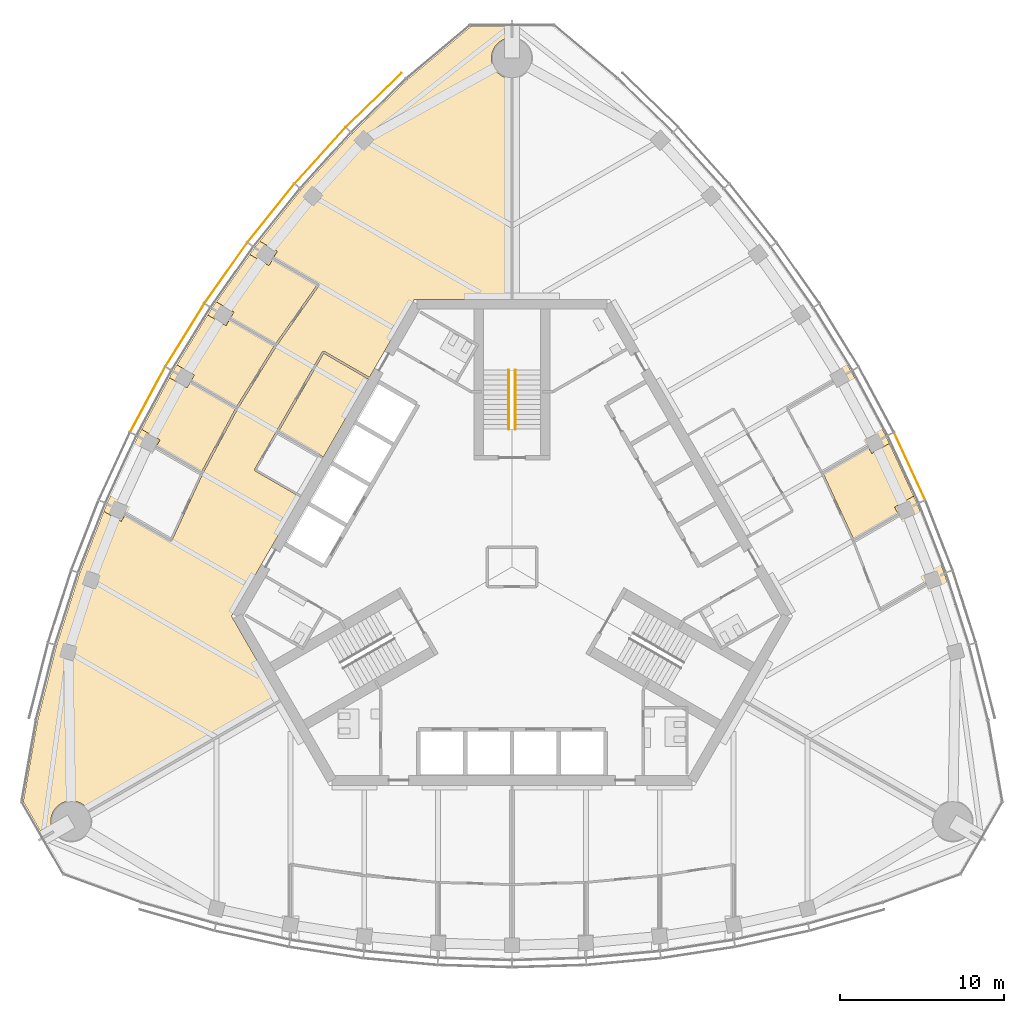
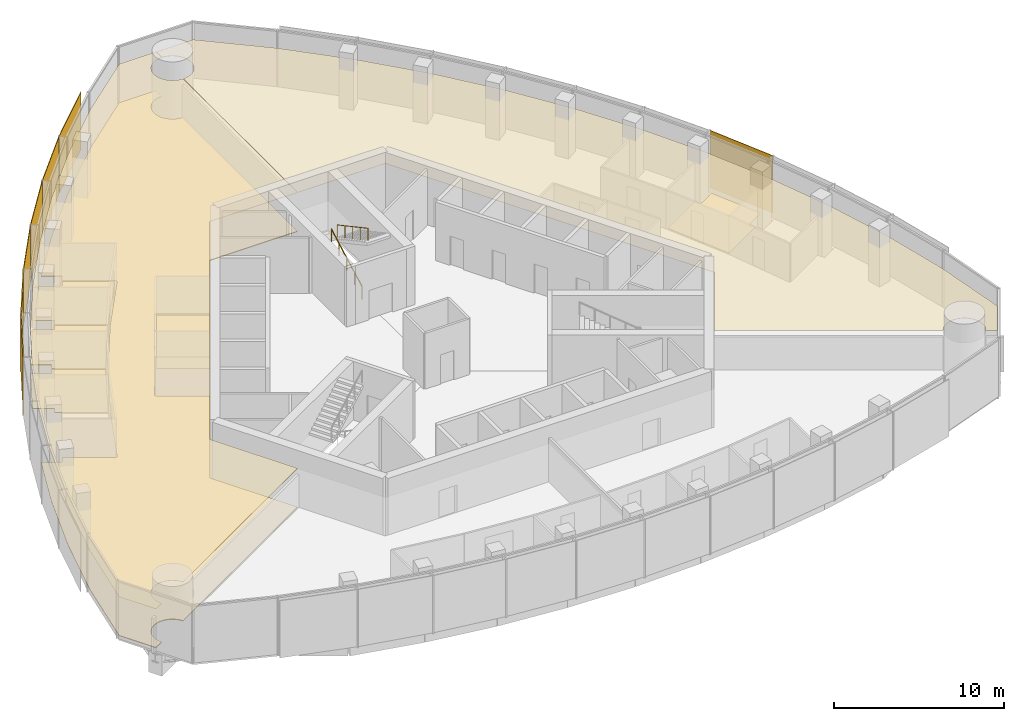
# One storey, part 13 of 16: 8 coverings, 7 shading devices, 2 railings.
"""IFC4 building model written with IfcOpenShell, lengths in metres."""

from ifc_helpers import new_model, si_unit, direction, frame, origin, origin_2d, place, context, subcontext, project, spatial, polyline, rectangle, circle, outline, extrude, material, layer, layer_set, type_object, element, save


model = new_model("IFC4")

# Units and contexts
model_context = context("Model", 3, precision=1e-05, world=origin(), true_north=direction((0.0, 1.0)))
body_context = subcontext(model_context, "Body", "Model", "MODEL_VIEW")
ifc_project = project(units=[si_unit("LENGTHUNIT", "METRE"), si_unit("AREAUNIT", "SQUARE_METRE"), si_unit("VOLUMEUNIT", "CUBIC_METRE"), si_unit("PLANEANGLEUNIT", "RADIAN"), si_unit("MASSUNIT", "GRAM", prefix="KILO")], contexts=[model_context])

# Site, building, storey
site_placement = place(None, origin())
site = spatial("IfcSite", under=ifc_project, at=site_placement, CompositionType="ELEMENT")
building_placement = place(site_placement, origin())
building = spatial("IfcBuilding", under=site, at=building_placement, Name="Trefoil Bronze Tower", CompositionType="ELEMENT")
storey_placement = place(building_placement, frame((0.0, 0.0, 305.699951171875)))
storey = spatial("IfcBuildingStorey", under=building, at=storey_placement, Name="L70", CompositionType="ELEMENT", Elevation=305.699951171875)

# Shading devices
ifc_material_1 = material(Name="Perforated bronze sheet", Category="bronze")
ifc_layer_1 = layer(ifc_material_1, 0.0400390625)
ifc_layer_set_1 = layer_set([ifc_layer_1], Name="Bronze solar screen panel")
shading_device_type = type_object("IfcShadingDeviceType", Name="Bronze solar screen panel", PredefinedType="SHUTTER", material=ifc_layer_set_1)
shading_device_1_placement = place(storey_placement, frame((24.2255859375, 6.135986328125, 0.050048828125), z_axis=(0.0, 0.0, 1.0), x_axis=(-0.419309148468, 0.907843509649, 0.0)))
element("IfcShadingDevice", 1, at=shading_device_1_placement, inside=storey, type_object=shading_device_type, Name="Solar screen CW-A L70 F2 bay 4", PredefinedType="SHUTTER", context=body_context, shape_type="SweptSolid", body=[
    extrude(rectangle(XDim=4.48876953125, YDim=0.0400390625, at=origin_2d()), origin(), (0.0, 0.0, 1.0), 4.10009765625),
])
shading_device_2_placement = place(storey_placement, frame((-8.42236328125, 28.443359375, 0.050048828125), z_axis=(0.0, 0.0, 1.0), x_axis=(-0.71721818561, -0.696848673839, 0.0)))
element("IfcShadingDevice", 2, at=shading_device_2_placement, inside=storey, type_object=shading_device_type, Name="Solar screen CW-A L70 F3 bay 1", PredefinedType="SHUTTER", context=body_context, shape_type="SweptSolid", body=[
    extrude(rectangle(XDim=4.697509765625, YDim=0.0400390625, at=origin_2d()), origin(), (0.0, 0.0, 1.0), 4.10009765625),
])
shading_device_3_placement = place(storey_placement, frame((-11.688720703125, 25.067138671875, 0.050048828125), z_axis=(0.0, 0.0, 1.0), x_axis=(-0.672115274615, -0.74044652584, 0.0)))
element("IfcShadingDevice", 3, at=shading_device_3_placement, inside=storey, type_object=shading_device_type, Name="Solar screen CW-A L70 F3 bay 2", PredefinedType="SHUTTER", context=body_context, shape_type="SweptSolid", body=[
    extrude(rectangle(XDim=4.574462890625, YDim=0.0400390625, at=origin_2d()), origin(), (0.0, 0.0, 1.0), 4.10009765625),
])
shading_device_4_placement = place(storey_placement, frame((-14.680908203125, 21.560791015625, 0.050048828125), z_axis=(0.0, 0.0, 1.0), x_axis=(-0.625286758829, -0.780395072533, 0.0)))
element("IfcShadingDevice", 4, at=shading_device_4_placement, inside=storey, type_object=shading_device_type, Name="Solar screen CW-A L70 F3 bay 3", PredefinedType="SHUTTER", context=body_context, shape_type="SweptSolid", body=[
    extrude(rectangle(XDim=4.5224609375, YDim=0.0400390625, at=origin_2d()), origin(), (0.0, 0.0, 1.0), 4.10009765625),
])
shading_device_5_placement = place(storey_placement, frame((-17.4267578125, 17.912109375, 0.050048828125), z_axis=(0.0, 0.0, 1.0), x_axis=(-0.576560967783, -0.817054129437, 0.0)))
element("IfcShadingDevice", 5, at=shading_device_5_placement, inside=storey, type_object=shading_device_type, Name="Solar screen CW-A L70 F3 bay 4", PredefinedType="SHUTTER", context=body_context, shape_type="SweptSolid", body=[
    extrude(rectangle(XDim=4.48876953125, YDim=0.0400390625, at=origin_2d()), origin(), (0.0, 0.0, 1.0), 4.10009765625),
])
for number, where, z_axis, x_axis, name in (
    (6, (-19.931396484375, 14.124267578125, 0.050048828125), (0.0, 0.0, 1.0), (-0.525979532701, -0.850497225851, 0.0), "Solar screen CW-A L70 F3 bay 5"),
    (7, (-22.19775390625, 10.198974609375, 0.050048828125), (0.0, 0.0, 1.0), (-0.473562437085, -0.880760250115, 0.0), "Solar screen CW-A L70 F3 bay 6"),
):
    element("IfcShadingDevice", number, at=place(storey_placement, frame(where, z_axis=z_axis, x_axis=x_axis)), inside=storey, type_object=shading_device_type, Name=name, PredefinedType="SHUTTER", context=body_context, shape_type="SweptSolid", body=[
        extrude(rectangle(XDim=4.47216796875, YDim=0.0400390625, at=origin_2d()), origin(), (0.0, 0.0, 1.0), 4.10009765625),
    ])

# Railings
ifc_material_2 = material(Name="Steel handrail", Category="steel")
railing_type = type_object("IfcRailingType", Name="Handrail 900", PredefinedType="HANDRAIL", material=ifc_material_2)
railing_1_placement = place(storey_placement, frame((-0.199951171875, 8.389892578125, 0.16162109375)))
element("IfcRailing", 8, at=railing_1_placement, inside=storey, type_object=railing_type, Name="Handrail ST2 flight 1 L70", PredefinedType="HANDRAIL", context=body_context, shape_type="SweptSolid", body=[
    extrude(circle(Radius=0.02392578125, at=origin_2d()), frame((0.0, 0.0, 0.8759765625), z_axis=(0.0, 0.880474934443, 0.474092701714), x_axis=(-1.0, 0.0, 0.0)), (0.0, 0.0, 1.0), 4.0888671875),
    extrude(circle(Radius=0.02099609375, at=origin_2d()), origin(), (0.0, 0.0, 1.0), 0.851806640625),
    extrude(circle(Radius=0.02099609375, at=origin_2d()), frame((0.0, 0.89990234375, 0.484619140625)), (0.0, 0.0, 1.0), 0.851806640625),
    extrude(circle(Radius=0.02099609375, at=origin_2d()), frame((0.0, 1.800048828125, 0.96923828125)), (0.0, 0.0, 1.0), 0.851806640625),
    extrude(circle(Radius=0.02099609375, at=origin_2d()), frame((0.0, 2.7001953125, 1.453857421875)), (0.0, 0.0, 1.0), 0.851806640625),
    extrude(circle(Radius=0.02099609375, at=origin_2d()), frame((0.0, 3.60009765625, 1.9384765625)), (0.0, 0.0, 1.0), 0.851806640625),
])
railing_2_placement = place(storey_placement, frame((0.199951171875, 11.989990234375, 2.261474609375)))
element("IfcRailing", 9, at=railing_2_placement, inside=storey, type_object=railing_type, Name="Handrail ST2 flight 2 L70", PredefinedType="HANDRAIL", context=body_context, shape_type="SweptSolid", body=[
    extrude(circle(Radius=0.02392578125, at=origin_2d()), frame((0.0, 0.0, 0.8759765625), z_axis=(0.0, -0.880474934443, 0.474092701714), x_axis=(1.0, 0.0, 0.0)), (0.0, 0.0, 1.0), 4.0888671875),
    extrude(circle(Radius=0.02099609375, at=origin_2d()), origin(), (0.0, 0.0, 1.0), 0.851806640625),
    extrude(circle(Radius=0.02099609375, at=origin_2d()), frame((0.0, -0.89990234375, 0.484619140625)), (0.0, 0.0, 1.0), 0.851806640625),
    extrude(circle(Radius=0.02099609375, at=origin_2d()), frame((0.0, -1.800048828125, 0.96923828125)), (0.0, 0.0, 1.0), 0.851806640625),
    extrude(circle(Radius=0.02099609375, at=origin_2d()), frame((0.0, -2.7001953125, 1.453857421875)), (0.0, 0.0, 1.0), 0.851806640625),
    extrude(circle(Radius=0.02099609375, at=origin_2d()), frame((0.0, -3.60009765625, 1.9384765625)), (0.0, 0.0, 1.0), 0.851806640625),
])

# Coverings
ifc_material_3 = material(Name="Acoustic ceiling panels", Category="mineral fibre")
ifc_layer_2 = layer(ifc_material_3, 0.02001953125)
ifc_layer_set_2 = layer_set([ifc_layer_2], Name="Office ceiling 20")
covering_type_1 = type_object("IfcCoveringType", Name="Office ceiling 20", PredefinedType="CEILING", material=ifc_layer_set_2)
covering_1_placement = place(storey_placement, frame((0.0, 0.0, 2.900146484375)))
element("IfcCovering", 10, at=covering_1_placement, inside=storey, type_object=covering_type_1, Name="Ceiling L70 Open-plan office F2", PredefinedType="CEILING", context=body_context, shape_type="SweptSolid", body=[
    extrude(outline(polyline([(9.741455078125, 26.408935546875), (12.836181640625, 22.99951171875), (15.682861328125, 19.44677734375), (18.2880859375, 15.7548828125), (20.656005859375, 11.92578125), (22.7880859375, 7.960693359375), (24.682861328125, 3.8583984375), (26.336181640625, -0.38330078125), (27.741455078125, -4.76806640625), (28.899169921875, -9.3515625), (29.770263671875, -14.291748046875), (28.522216796875, -16.453125), (27.93505859375, -16.1142578125), (27.976806640625, -16.034423828125), (28.001708984375, -15.978515625), (28.023681640625, -15.921142578125), (28.04296875, -15.86279296875), (28.059326171875, -15.8037109375), (28.07275390625, -15.743896484375), (28.083251953125, -15.683349609375), (28.0908203125, -15.62255859375), (28.09521484375, -15.561279296875), (28.0966796875, -15.5), (28.09521484375, -15.438720703125), (28.0908203125, -15.37744140625), (28.083251953125, -15.316650390625), (28.07275390625, -15.256103515625), (28.059326171875, -15.1962890625), (28.04296875, -15.13720703125), (28.023681640625, -15.078857421875), (28.001708984375, -15.021484375), (27.976806640625, -14.965576171875), (27.94921875, -14.910888671875), (27.9189453125, -14.857421875), (27.885986328125, -14.805419921875), (27.850830078125, -14.75537109375), (27.81298828125, -14.70703125), (27.77294921875, -14.66064453125), (27.730712890625, -14.6162109375), (27.686279296875, -14.57373046875), (27.639892578125, -14.53369140625), (27.59130859375, -14.49609375), (27.541259765625, -14.460693359375), (27.489501953125, -14.427734375), (27.43603515625, -14.397705078125), (27.381103515625, -14.3701171875), (27.3251953125, -14.34521484375), (27.267822265625, -14.322998046875), (27.209716796875, -14.3037109375), (27.150390625, -14.28759765625), (27.0908203125, -14.27392578125), (27.0302734375, -14.263427734375), (26.96923828125, -14.256103515625), (26.908203125, -14.25146484375), (26.8466796875, -14.25), (26.785400390625, -14.25146484375), (26.724365234375, -14.256103515625), (26.663330078125, -14.263427734375), (26.602783203125, -14.27392578125), (26.543212890625, -14.28759765625), (26.48388671875, -14.3037109375), (26.42578125, -14.322998046875), (26.368408203125, -14.34521484375), (26.312255859375, -14.3701171875), (26.257568359375, -14.397705078125), (26.2041015625, -14.427734375), (26.15234375, -14.460693359375), (26.102294921875, -14.49609375), (26.0537109375, -14.53369140625), (26.00732421875, -14.57373046875), (25.962890625, -14.6162109375), (25.920654296875, -14.66064453125), (25.880615234375, -14.70703125), (25.8427734375, -14.75537109375), (25.8076171875, -14.805419921875), (25.77001953125, -14.865478515625), (14.119384765625, -8.144775390625), (17.089599609375, -3.0), (5.94677734375, 16.300048828125), (0.006103515625, 16.300048828125), (0.01123046875, 29.750244140625), (0.061279296875, 29.75146484375), (0.12255859375, 29.756103515625), (0.183349609375, 29.763427734375), (0.243896484375, 29.77392578125), (0.3037109375, 29.78759765625), (0.36279296875, 29.8037109375), (0.421142578125, 29.822998046875), (0.478515625, 29.84521484375), (0.534423828125, 29.8701171875), (0.589111328125, 29.897705078125), (0.642578125, 29.927734375), (0.694580078125, 29.960693359375), (0.74462890625, 29.99609375), (0.79296875, 30.03369140625), (0.83935546875, 30.07373046875), (0.8837890625, 30.1162109375), (0.92626953125, 30.16064453125), (0.96630859375, 30.20703125), (1.00390625, 30.25537109375), (1.039306640625, 30.305419921875), (1.072265625, 30.357421875), (1.102294921875, 30.410888671875), (1.1298828125, 30.465576171875), (1.15478515625, 30.521484375), (1.177001953125, 30.578857421875), (1.1962890625, 30.63720703125), (1.21240234375, 30.6962890625), (1.22607421875, 30.756103515625), (1.236572265625, 30.816650390625), (1.243896484375, 30.87744140625), (1.24853515625, 30.938720703125), (1.25, 31.0), (1.24853515625, 31.061279296875), (1.243896484375, 31.12255859375), (1.236572265625, 31.183349609375), (1.22607421875, 31.243896484375), (1.21240234375, 31.3037109375), (1.1962890625, 31.36279296875), (1.177001953125, 31.421142578125), (1.15478515625, 31.478515625), (1.1298828125, 31.534423828125), (1.102294921875, 31.589111328125), (1.072265625, 31.642578125), (1.039306640625, 31.694580078125), (1.00390625, 31.74462890625), (0.96630859375, 31.79296875), (0.92626953125, 31.83935546875), (0.8837890625, 31.8837890625), (0.83935546875, 31.92626953125), (0.79296875, 31.96630859375), (0.74462890625, 32.00390625), (0.694580078125, 32.039306640625), (0.642578125, 32.072265625), (0.589111328125, 32.102294921875), (0.534423828125, 32.1298828125), (0.478515625, 32.15478515625), (0.421142578125, 32.177001953125), (0.36279296875, 32.1962890625), (0.3037109375, 32.21240234375), (0.243896484375, 32.22607421875), (0.183349609375, 32.236572265625), (0.12255859375, 32.243896484375), (0.061279296875, 32.24853515625), (0.01220703125, 32.249755859375), (0.01220703125, 32.927490234375), (2.508056640625, 32.927490234375), (6.350830078125, 29.703125), (9.741455078125, 26.408935546875)])), origin(), (0.0, 0.0, 1.0), 0.02001953125),
])
covering_2_placement = place(storey_placement, frame((0.0, 0.0, 2.900146484375)))
element("IfcCovering", 11, at=covering_2_placement, inside=storey, type_object=covering_type_1, Name="Ceiling L70 Open-plan office F3", PredefinedType="CEILING", context=body_context, shape_type="SweptSolid", body=[
    extrude(outline(polyline([(-27.741455078125, -4.76806640625), (-26.336181640625, -0.38330078125), (-24.682861328125, 3.8583984375), (-22.7880859375, 7.960693359375), (-20.656005859375, 11.92578125), (-18.2880859375, 15.7548828125), (-15.682861328125, 19.44677734375), (-12.836181640625, 22.99951171875), (-9.741455078125, 26.408935546875), (-6.350830078125, 29.703125), (-2.508056640625, 32.927490234375), (-0.01220703125, 32.927490234375), (-0.01220703125, 32.249755859375), (-0.061279296875, 32.24853515625), (-0.12255859375, 32.243896484375), (-0.183349609375, 32.236572265625), (-0.243896484375, 32.22607421875), (-0.3037109375, 32.21240234375), (-0.36279296875, 32.1962890625), (-0.421142578125, 32.177001953125), (-0.478515625, 32.15478515625), (-0.534423828125, 32.1298828125), (-0.589111328125, 32.102294921875), (-0.642578125, 32.072265625), (-0.694580078125, 32.039306640625), (-0.74462890625, 32.00390625), (-0.79296875, 31.96630859375), (-0.83935546875, 31.92626953125), (-0.8837890625, 31.8837890625), (-0.92626953125, 31.83935546875), (-0.96630859375, 31.79296875), (-1.00390625, 31.74462890625), (-1.039306640625, 31.694580078125), (-1.072265625, 31.642578125), (-1.102294921875, 31.589111328125), (-1.1298828125, 31.534423828125), (-1.15478515625, 31.478515625), (-1.177001953125, 31.421142578125), (-1.1962890625, 31.36279296875), (-1.21240234375, 31.3037109375), (-1.22607421875, 31.243896484375), (-1.236572265625, 31.183349609375), (-1.243896484375, 31.12255859375), (-1.24853515625, 31.061279296875), (-1.25, 31.0), (-1.24853515625, 30.938720703125), (-1.243896484375, 30.87744140625), (-1.236572265625, 30.816650390625), (-1.22607421875, 30.756103515625), (-1.21240234375, 30.6962890625), (-1.1962890625, 30.63720703125), (-1.177001953125, 30.578857421875), (-1.15478515625, 30.521484375), (-1.1298828125, 30.465576171875), (-1.102294921875, 30.410888671875), (-1.072265625, 30.357421875), (-1.039306640625, 30.305419921875), (-1.00390625, 30.25537109375), (-0.96630859375, 30.20703125), (-0.92626953125, 30.16064453125), (-0.8837890625, 30.1162109375), (-0.83935546875, 30.07373046875), (-0.79296875, 30.03369140625), (-0.74462890625, 29.99609375), (-0.694580078125, 29.960693359375), (-0.642578125, 29.927734375), (-0.589111328125, 29.897705078125), (-0.534423828125, 29.8701171875), (-0.478515625, 29.84521484375), (-0.421142578125, 29.822998046875), (-0.36279296875, 29.8037109375), (-0.3037109375, 29.78759765625), (-0.243896484375, 29.77392578125), (-0.183349609375, 29.763427734375), (-0.12255859375, 29.756103515625), (-0.061279296875, 29.75146484375), (-0.01123046875, 29.750244140625), (-0.006103515625, 16.300048828125), (-5.94677734375, 16.300048828125), (-17.089599609375, -3.0), (-14.119384765625, -8.144775390625), (-25.77001953125, -14.865478515625), (-25.8076171875, -14.805419921875), (-25.8427734375, -14.75537109375), (-25.880615234375, -14.70703125), (-25.920654296875, -14.66064453125), (-25.962890625, -14.6162109375), (-26.00732421875, -14.57373046875), (-26.0537109375, -14.53369140625), (-26.102294921875, -14.49609375), (-26.15234375, -14.460693359375), (-26.2041015625, -14.427734375), (-26.257568359375, -14.397705078125), (-26.312255859375, -14.3701171875), (-26.368408203125, -14.34521484375), (-26.42578125, -14.322998046875), (-26.48388671875, -14.3037109375), (-26.543212890625, -14.28759765625), (-26.602783203125, -14.27392578125), (-26.663330078125, -14.263427734375), (-26.724365234375, -14.256103515625), (-26.785400390625, -14.25146484375), (-26.8466796875, -14.25), (-26.908203125, -14.25146484375), (-26.96923828125, -14.256103515625), (-27.0302734375, -14.263427734375), (-27.0908203125, -14.27392578125), (-27.150390625, -14.28759765625), (-27.209716796875, -14.3037109375), (-27.267822265625, -14.322998046875), (-27.3251953125, -14.34521484375), (-27.381103515625, -14.3701171875), (-27.43603515625, -14.397705078125), (-27.489501953125, -14.427734375), (-27.541259765625, -14.460693359375), (-27.59130859375, -14.49609375), (-27.639892578125, -14.53369140625), (-27.686279296875, -14.57373046875), (-27.730712890625, -14.6162109375), (-27.77294921875, -14.66064453125), (-27.81298828125, -14.70703125), (-27.850830078125, -14.75537109375), (-27.885986328125, -14.805419921875), (-27.9189453125, -14.857421875), (-27.94921875, -14.910888671875), (-27.976806640625, -14.965576171875), (-28.001708984375, -15.021484375), (-28.023681640625, -15.078857421875), (-28.04296875, -15.13720703125), (-28.059326171875, -15.1962890625), (-28.07275390625, -15.256103515625), (-28.083251953125, -15.316650390625), (-28.0908203125, -15.37744140625), (-28.09521484375, -15.438720703125), (-28.0966796875, -15.5), (-28.09521484375, -15.561279296875), (-28.0908203125, -15.62255859375), (-28.083251953125, -15.683349609375), (-28.07275390625, -15.743896484375), (-28.059326171875, -15.8037109375), (-28.04296875, -15.86279296875), (-28.023681640625, -15.921142578125), (-28.001708984375, -15.978515625), (-27.976806640625, -16.034423828125), (-27.93505859375, -16.1142578125), (-28.522216796875, -16.453125), (-29.770263671875, -14.291748046875), (-28.899169921875, -9.3515625), (-27.741455078125, -4.76806640625)])), origin(), (0.0, 0.0, 1.0), 0.02001953125),
])
ifc_material_4 = material(Name="Raised access floor panels", Category="steel")
ifc_layer_3 = layer(ifc_material_4, 0.050048828125)
ifc_layer_set_3 = layer_set([ifc_layer_3], Name="Raised access floor 150")
covering_type_2 = type_object("IfcCoveringType", Name="Raised access floor 150", PredefinedType="FLOORING", material=ifc_layer_set_3)
covering_3_placement = place(storey_placement, frame((0.0, 0.0, 0.10009765625)))
element("IfcCovering", 12, at=covering_3_placement, inside=storey, type_object=covering_type_2, Name="Raised floor L70 Office F2", PredefinedType="FLOORING", context=body_context, shape_type="SweptSolid", body=[
    extrude(outline(polyline([(23.519775390625, 3.256103515625), (20.8125, 1.693115234375), (18.968505859375, 5.68603515625), (21.70751953125, 7.267333984375), (21.677490234375, 7.3193359375), (21.680419921875, 7.321044921875), (21.919189453125, 6.90771484375), (22.989013671875, 7.525390625), (24.47119140625, 4.316162109375), (23.298583984375, 3.63916015625), (23.519775390625, 3.256103515625)])), origin(), (0.0, 0.0, 1.0), 0.050048828125),
])
covering_4_placement = place(storey_placement, frame((0.0, 0.0, 0.10009765625)))
element("IfcCovering", 13, at=covering_4_placement, inside=storey, type_object=covering_type_2, Name="Raised floor L70 Meeting room F3", PredefinedType="FLOORING", context=body_context, shape_type="SweptSolid", body=[
    extrude(outline(polyline([(-11.488037109375, 6.701904296875), (-14.20751953125, 8.27197265625), (-11.467529296875, 13.017822265625), (-8.748046875, 11.44775390625), (-11.488037109375, 6.701904296875)])), origin(), (0.0, 0.0, 1.0), 0.050048828125),
])
covering_5_placement = place(storey_placement, frame((0.0, 0.0, 0.10009765625)))
element("IfcCovering", 14, at=covering_5_placement, inside=storey, type_object=covering_type_2, Name="Raised floor L70 Office F3", PredefinedType="FLOORING", context=body_context, shape_type="SweptSolid", body=[
    extrude(outline(polyline([(-15.9736328125, 19.03466796875), (-14.801025390625, 18.357666015625), (-14.579833984375, 18.74072265625), (-11.87255859375, 17.177734375), (-14.408447265625, 13.583984375), (-17.147705078125, 15.16552734375), (-17.177490234375, 15.113525390625), (-17.180419921875, 15.115234375), (-16.941650390625, 15.52880859375), (-18.01171875, 16.146484375), (-15.9736328125, 19.03466796875)])), origin(), (0.0, 0.0, 1.0), 0.050048828125),
])
covering_6_placement = place(storey_placement, frame((0.0, 0.0, 0.10009765625)))
element("IfcCovering", 15, at=covering_6_placement, inside=storey, type_object=covering_type_2, Name="Raised floor L70 Office F3", PredefinedType="FLOORING", context=body_context, shape_type="SweptSolid", body=[
    extrude(outline(polyline([(-17.177490234375, 15.113525390625), (-17.20751953125, 15.061767578125), (-14.474609375, 13.48388671875), (-16.779296875, 9.7568359375), (-19.517578125, 11.337890625), (-19.547607421875, 11.285888671875), (-19.57275390625, 11.30029296875), (-19.34716796875, 11.69091796875), (-20.418701171875, 12.3095703125), (-18.539306640625, 15.348388671875), (-17.419189453125, 14.701904296875), (-17.180419921875, 15.115234375), (-17.177490234375, 15.113525390625)])), origin(), (0.0, 0.0, 1.0), 0.050048828125),
])
covering_7_placement = place(storey_placement, frame((0.0, 0.0, 0.10009765625)))
element("IfcCovering", 16, at=covering_7_placement, inside=storey, type_object=covering_type_2, Name="Raised floor L70 Office F3", PredefinedType="FLOORING", context=body_context, shape_type="SweptSolid", body=[
    extrude(outline(polyline([(-19.547607421875, 11.285888671875), (-19.57763671875, 11.23388671875), (-16.83935546875, 9.65283203125), (-18.91455078125, 5.79345703125), (-21.647705078125, 7.371337890625), (-21.677490234375, 7.3193359375), (-21.680419921875, 7.321044921875), (-21.441650390625, 7.734619140625), (-22.56201171875, 8.38134765625), (-20.869873046875, 11.5283203125), (-19.798095703125, 10.90966796875), (-19.57275390625, 11.30029296875), (-19.547607421875, 11.285888671875)])), origin(), (0.0, 0.0, 1.0), 0.050048828125),
])
covering_8_placement = place(storey_placement, frame((0.0, 0.0, 0.10009765625)))
element("IfcCovering", 17, at=covering_8_placement, inside=storey, type_object=covering_type_2, Name="Raised floor L70 Open-plan office F3", PredefinedType="FLOORING", context=body_context, shape_type="SweptSolid", body=[
    extrude(outline(polyline([(-26.336181640625, -0.38330078125), (-24.867431640625, 3.385009765625), (-23.801025390625, 2.769287109375), (-23.579833984375, 3.152099609375), (-20.815673828125, 1.556396484375), (-20.78564453125, 1.6083984375), (-20.731201171875, 1.583251953125), (-18.83740234375, 5.683837890625), (-16.70703125, 9.645751953125), (-14.3408203125, 13.4716796875), (-11.73681640625, 17.162109375), (-11.78564453125, 17.19677734375), (-11.755615234375, 17.248779296875), (-14.519775390625, 18.844482421875), (-14.298583984375, 19.227783203125), (-15.364990234375, 19.84326171875), (-12.836181640625, 22.99951171875), (-9.741455078125, 26.408935546875), (-6.350830078125, 29.703125), (-2.508056640625, 32.927490234375), (-0.01220703125, 32.927490234375), (-0.01220703125, 32.249755859375), (-0.061279296875, 32.24853515625), (-0.12255859375, 32.243896484375), (-0.183349609375, 32.236572265625), (-0.243896484375, 32.22607421875), (-0.3037109375, 32.21240234375), (-0.36279296875, 32.1962890625), (-0.421142578125, 32.177001953125), (-0.478515625, 32.15478515625), (-0.534423828125, 32.1298828125), (-0.589111328125, 32.102294921875), (-0.642578125, 32.072265625), (-0.694580078125, 32.039306640625), (-0.74462890625, 32.00390625), (-0.79296875, 31.96630859375), (-0.83935546875, 31.92626953125), (-0.8837890625, 31.8837890625), (-0.92626953125, 31.83935546875), (-0.96630859375, 31.79296875), (-1.00390625, 31.74462890625), (-1.039306640625, 31.694580078125), (-1.072265625, 31.642578125), (-1.102294921875, 31.589111328125), (-1.1298828125, 31.534423828125), (-1.15478515625, 31.478515625), (-1.177001953125, 31.421142578125), (-1.1962890625, 31.36279296875), (-1.21240234375, 31.3037109375), (-1.22607421875, 31.243896484375), (-1.236572265625, 31.183349609375), (-1.243896484375, 31.12255859375), (-1.24853515625, 31.061279296875), (-1.25, 31.0), (-1.24853515625, 30.938720703125), (-1.243896484375, 30.87744140625), (-1.236572265625, 30.816650390625), (-1.22607421875, 30.756103515625), (-1.21240234375, 30.6962890625), (-1.1962890625, 30.63720703125), (-1.177001953125, 30.578857421875), (-1.15478515625, 30.521484375), (-1.1298828125, 30.465576171875), (-1.102294921875, 30.410888671875), (-1.072265625, 30.357421875), (-1.039306640625, 30.305419921875), (-1.00390625, 30.25537109375), (-0.96630859375, 30.20703125), (-0.92626953125, 30.16064453125), (-0.8837890625, 30.1162109375), (-0.83935546875, 30.07373046875), (-0.79296875, 30.03369140625), (-0.74462890625, 29.99609375), (-0.694580078125, 29.960693359375), (-0.642578125, 29.927734375), (-0.589111328125, 29.897705078125), (-0.534423828125, 29.8701171875), (-0.478515625, 29.84521484375), (-0.421142578125, 29.822998046875), (-0.36279296875, 29.8037109375), (-0.3037109375, 29.78759765625), (-0.243896484375, 29.77392578125), (-0.183349609375, 29.763427734375), (-0.12255859375, 29.756103515625), (-0.061279296875, 29.75146484375), (-0.01123046875, 29.750244140625), (-0.006103515625, 16.300048828125), (-5.94677734375, 16.300048828125), (-8.68798828125, 11.5517578125), (-11.45947265625, 13.151611328125), (-11.489501953125, 13.099609375), (-11.54150390625, 13.129638671875), (-15.69140625, 5.941650390625), (-15.639404296875, 5.91162109375), (-15.66943359375, 5.85986328125), (-12.898193359375, 4.259765625), (-17.089599609375, -3.0), (-14.119384765625, -8.144775390625), (-25.77001953125, -14.865478515625), (-25.8076171875, -14.805419921875), (-25.8427734375, -14.75537109375), (-25.880615234375, -14.70703125), (-25.920654296875, -14.66064453125), (-25.962890625, -14.6162109375), (-26.00732421875, -14.57373046875), (-26.0537109375, -14.53369140625), (-26.102294921875, -14.49609375), (-26.15234375, -14.460693359375), (-26.2041015625, -14.427734375), (-26.257568359375, -14.397705078125), (-26.312255859375, -14.3701171875), (-26.368408203125, -14.34521484375), (-26.42578125, -14.322998046875), (-26.48388671875, -14.3037109375), (-26.543212890625, -14.28759765625), (-26.602783203125, -14.27392578125), (-26.663330078125, -14.263427734375), (-26.724365234375, -14.256103515625), (-26.785400390625, -14.25146484375), (-26.8466796875, -14.25), (-26.908203125, -14.25146484375), (-26.96923828125, -14.256103515625), (-27.0302734375, -14.263427734375), (-27.0908203125, -14.27392578125), (-27.150390625, -14.28759765625), (-27.209716796875, -14.3037109375), (-27.267822265625, -14.322998046875), (-27.3251953125, -14.34521484375), (-27.381103515625, -14.3701171875), (-27.43603515625, -14.397705078125), (-27.489501953125, -14.427734375), (-27.541259765625, -14.460693359375), (-27.59130859375, -14.49609375), (-27.639892578125, -14.53369140625), (-27.686279296875, -14.57373046875), (-27.730712890625, -14.6162109375), (-27.77294921875, -14.66064453125), (-27.81298828125, -14.70703125), (-27.850830078125, -14.75537109375), (-27.885986328125, -14.805419921875), (-27.9189453125, -14.857421875), (-27.94921875, -14.910888671875), (-27.976806640625, -14.965576171875), (-28.001708984375, -15.021484375), (-28.023681640625, -15.078857421875), (-28.04296875, -15.13720703125), (-28.059326171875, -15.1962890625), (-28.07275390625, -15.256103515625), (-28.083251953125, -15.316650390625), (-28.0908203125, -15.37744140625), (-28.09521484375, -15.438720703125), (-28.0966796875, -15.5), (-28.09521484375, -15.561279296875), (-28.0908203125, -15.62255859375), (-28.083251953125, -15.683349609375), (-28.07275390625, -15.743896484375), (-28.059326171875, -15.8037109375), (-28.04296875, -15.86279296875), (-28.023681640625, -15.921142578125), (-28.001708984375, -15.978515625), (-27.976806640625, -16.034423828125), (-27.93505859375, -16.1142578125), (-28.522216796875, -16.453125), (-29.770263671875, -14.291748046875), (-28.899169921875, -9.3515625), (-27.741455078125, -4.76806640625), (-26.336181640625, -0.38330078125)])), origin(), (0.0, 0.0, 1.0), 0.050048828125),
])

save(model, "model.ifc")
